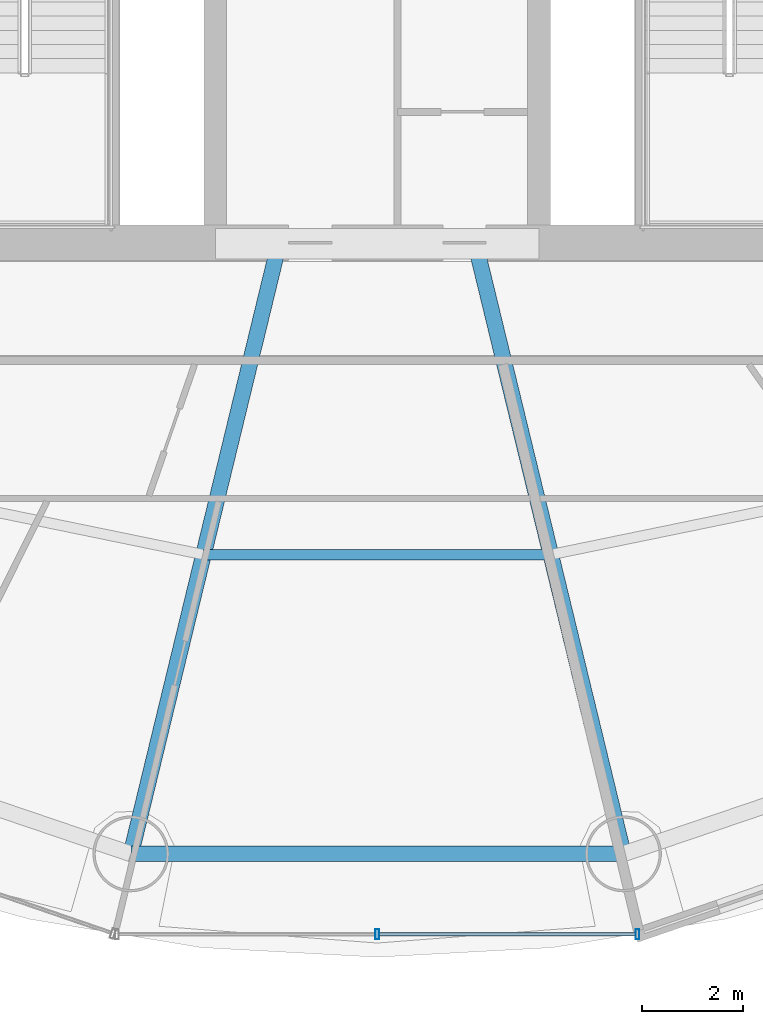
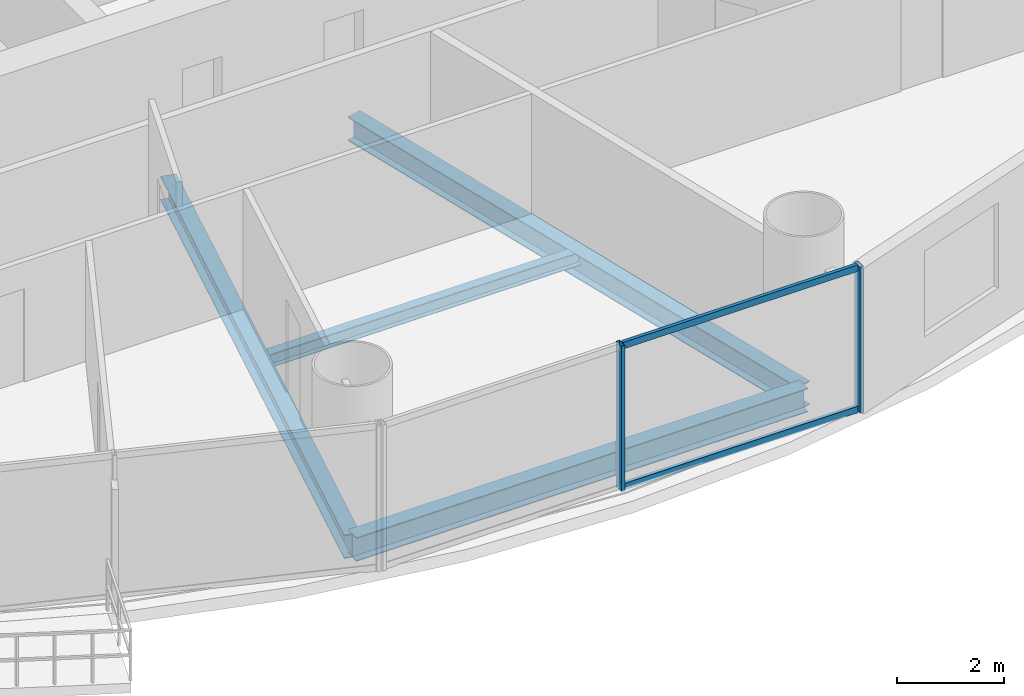
# One storey, part 5 of 29: 4 beams, 4 members, 1 element without a shape of its own.
"""IFC4 building model written with IfcOpenShell, lengths in metres."""

from ifc_helpers import new_model, si_unit, direction, frame, origin, origin_2d, place, context, subcontext, project, spatial, hollow_rectangle, i_section, extrude, source, transform, mapped, material, material_profile, profile_set, type_object, element, aggregate, save


model = new_model("IFC4")

# Units and contexts
model_context = context("Model", 3, precision=1e-05, world=origin(), true_north=direction((-0.2419218956, 0.970295726276)))
body_context = subcontext(model_context, "Body", "Model", "MODEL_VIEW")
ifc_project = project(units=[si_unit("LENGTHUNIT", "METRE"), si_unit("AREAUNIT", "SQUARE_METRE"), si_unit("VOLUMEUNIT", "CUBIC_METRE"), si_unit("PLANEANGLEUNIT", "RADIAN"), si_unit("MASSUNIT", "GRAM", prefix="KILO")], contexts=[model_context])

# Site, building, storey
site_placement = place(None, origin())
site = spatial("IfcSite", under=ifc_project, at=site_placement, CompositionType="ELEMENT")
building_placement = place(site_placement, origin())
building = spatial("IfcBuilding", under=site, at=building_placement, Name="Cobrevalo Terracotta Tower", CompositionType="ELEMENT")
storey_placement = place(building_placement, frame((0.0, 0.0, 83.39990234375)))
storey = spatial("IfcBuildingStorey", under=building, at=storey_placement, Name="L21", CompositionType="ELEMENT", Elevation=83.39990234375)

# Beams
ifc_material_1 = material(Name="Steel S355", Category="steel")
ifc_material_profile_1 = material_profile(ifc_material_1, i_section(OverallWidth=0.31201171875, OverallDepth=0.54296875, WebThickness=0.0126953125, FlangeThickness=0.020263671875, at=origin_2d()), Name="W 530x150")
ifc_profile_set_1 = profile_set([ifc_material_profile_1], Name="Steel S355")
beam_type_1 = type_object("IfcBeamType", Name="Structural Beam W 530x150 (Steel S355)", PredefinedType="BEAM", material=ifc_profile_set_1)
for number, where, z_axis, x_axis, name in (
    (1, (33.132568359375, 6.742919921875, -0.54638671875), (0.235827379387, 0.971794961467, 0.0), (-0.971794961467, 0.235827379387, 0.0), "L21 radial floor girder 12"),
    (2, (42.867431640625, 6.742919921875, -0.54638671875), (-0.235827379387, 0.971794961467, 0.0), (-0.971794961467, -0.235827379387, 0.0), "L21 radial floor girder 13"),
):
    element("IfcBeam", number, at=place(storey_placement, frame(where, z_axis=z_axis, x_axis=x_axis)), inside=storey, type_object=beam_type_1, Name=name, PredefinedType="BEAM", context=body_context, shape_type="SweptSolid", body=[
        extrude(i_section(OverallWidth=0.31201171875, OverallDepth=0.54296875, WebThickness=0.0126953125, FlangeThickness=0.020263671875, at=origin_2d()), origin(), (0.0, 0.0, 1.0), 12.17041015625),
    ])
ifc_material_profile_2 = material_profile(ifc_material_1, i_section(OverallWidth=0.2041015625, OverallDepth=0.305908203125, WebThickness=0.008544921875, FlangeThickness=0.0146484375, at=origin_2d()), Name="W 310x67")
ifc_profile_set_2 = profile_set([ifc_material_profile_2], Name="Steel S355")
beam_type_2 = type_object("IfcBeamType", Name="Structural Joist W 310x67 (Steel S355)", PredefinedType="JOIST", material=ifc_profile_set_2)
beam_1_placement = place(storey_placement, frame((34.567626953125, 12.656494140625, -0.427978515625), z_axis=(1.0, 0.0, 0.0), x_axis=(0.0, 1.0, 0.0)))
element("IfcBeam", 3, at=beam_1_placement, inside=storey, type_object=beam_type_2, Name="L21 circumferential secondary floor joist 12", PredefinedType="JOIST", context=body_context, shape_type="SweptSolid", body=[
    extrude(i_section(OverallWidth=0.2041015625, OverallDepth=0.305908203125, WebThickness=0.008544921875, FlangeThickness=0.0146484375, at=origin_2d()), origin(), (0.0, 0.0, 1.0), 6.86474609375),
])
ifc_material_profile_3 = material_profile(ifc_material_1, i_section(OverallWidth=0.31201171875, OverallDepth=0.54296875, WebThickness=0.0126953125, FlangeThickness=0.020263671875, at=origin_2d()), Name="W 530x150")
ifc_profile_set_3 = profile_set([ifc_material_profile_3], Name="Steel S355")
beam_type_3 = type_object("IfcBeamType", Name="Structural Spandrel W 530x150 (Steel S355)", PredefinedType="SPANDREL", material=ifc_profile_set_3)
beam_2_placement = place(storey_placement, frame((33.132568359375, 6.742919921875, -0.54638671875), z_axis=(1.0, 0.0, 0.0), x_axis=(0.0, 1.0, 0.0)))
element("IfcBeam", 4, at=beam_2_placement, inside=storey, type_object=beam_type_3, Name="L21 perimeter ring spandrel 12", PredefinedType="SPANDREL", context=body_context, shape_type="SweptSolid", body=[
    extrude(i_section(OverallWidth=0.31201171875, OverallDepth=0.54296875, WebThickness=0.0126953125, FlangeThickness=0.020263671875, at=origin_2d()), origin(), (0.0, 0.0, 1.0), 9.73486328125),
])

# Curtain wall, members
ifc_material_2 = material(Name="Anodized aluminium", Category="aluminium")
curtain_wall_type = type_object("IfcCurtainWallType", Name="Lower-tower unitised acoustic low-E curtain wall CW-U1", PredefinedType="NOTDEFINED", material=ifc_material_2)
curtain_wall_placement = place(storey_placement, origin())
curtain_wall = element("IfcCurtainWall", 5, at=curtain_wall_placement, inside=storey, type_object=curtain_wall_type, Name="L21 curtain wall CW-L21-S12", PredefinedType="NOTDEFINED")
ifc_material_profile_4 = material_profile(ifc_material_2, hollow_rectangle(XDim=0.074951171875, YDim=0.14990234375, WallThickness=0.00439453125, at=origin_2d()), Name="CWT 75x150")
ifc_profile_set_4 = profile_set([ifc_material_profile_4], Name="Anodized aluminium")
member_type_1 = type_object("IfcMemberType", Name="Tower unitised aluminium transom 75x150", PredefinedType="USERDEFINED", material=ifc_profile_set_4)
shared_shape_1 = source(origin(), body_context, "Body", "SweptSolid", [
    extrude(hollow_rectangle(XDim=0.074951171875, YDim=0.14990234375, WallThickness=0.00439453125, at=origin_2d()), origin(), (0.0, 0.0, 1.0), 5.0634765625),
])
member_1_placement = place(storey_placement, frame((38.0400390625, 5.154052734375, 0.050048828125), z_axis=(1.0, 0.0, 0.0), x_axis=(0.0, 1.0, 0.0)))
member_1 = element("IfcMember", 6, at=member_1_placement, type_object=member_type_1, Name="CW-L21-S12 transom B02-T1", ObjectType="TRANSOM", PredefinedType="USERDEFINED", context=body_context, shape_type="MappedRepresentation", body=[
    mapped(shared_shape_1, transform((0.0, 0.0, 0.0), scale=1.0)),
])
member_2_placement = place(storey_placement, frame((38.0400390625, 5.154052734375, 3.275146484375), z_axis=(1.0, 0.0, 0.0), x_axis=(0.0, 1.0, 0.0)))
member_2 = element("IfcMember", 7, at=member_2_placement, type_object=member_type_1, Name="CW-L21-S12 transom B02-T2", ObjectType="TRANSOM", PredefinedType="USERDEFINED", context=body_context, shape_type="MappedRepresentation", body=[
    mapped(shared_shape_1, transform((0.0, 0.0, 0.0), scale=1.0)),
])
ifc_material_profile_5 = material_profile(ifc_material_2, hollow_rectangle(XDim=0.074951171875, YDim=0.199951171875, WallThickness=0.0048828125, at=origin_2d()), Name="CWM 75x200")
ifc_profile_set_5 = profile_set([ifc_material_profile_5], Name="Anodized aluminium")
member_type_2 = type_object("IfcMemberType", Name="Lower/mid tower unitised mullion 75x200", PredefinedType="MULLION", material=ifc_profile_set_5)
shared_shape_2 = source(origin(), body_context, "Body", "SweptSolid", [
    extrude(hollow_rectangle(XDim=0.074951171875, YDim=0.199951171875, WallThickness=0.0048828125, at=origin_2d()), origin(), (0.0, 0.0, 1.0), 3.3251953125),
])
member_3_placement = place(storey_placement, frame((38.0, 5.154052734375, 0.0), z_axis=(0.0, 0.0, 1.0), x_axis=(1.0, 0.0, 0.0)))
member_3 = element("IfcMember", 8, at=member_3_placement, type_object=member_type_2, Name="CW-L21-S12 vertical mullion 02", PredefinedType="MULLION", context=body_context, shape_type="MappedRepresentation", body=[
    mapped(shared_shape_2, transform((0.0, 0.0, 0.0), scale=1.0)),
])
member_4_placement = place(storey_placement, frame((43.1435546875, 5.154052734375, 0.0), z_axis=(0.0, 0.0, 1.0), x_axis=(1.0, 0.0, 0.0)))
member_4 = element("IfcMember", 9, at=member_4_placement, type_object=member_type_2, Name="CW-L21-S12 vertical mullion 03", PredefinedType="MULLION", context=body_context, shape_type="MappedRepresentation", body=[
    mapped(shared_shape_2, transform((0.0, 0.0, 0.0), scale=1.0)),
])
aggregate(curtain_wall, [member_3, member_4, member_1, member_2])

save(model, "model.ifc")
